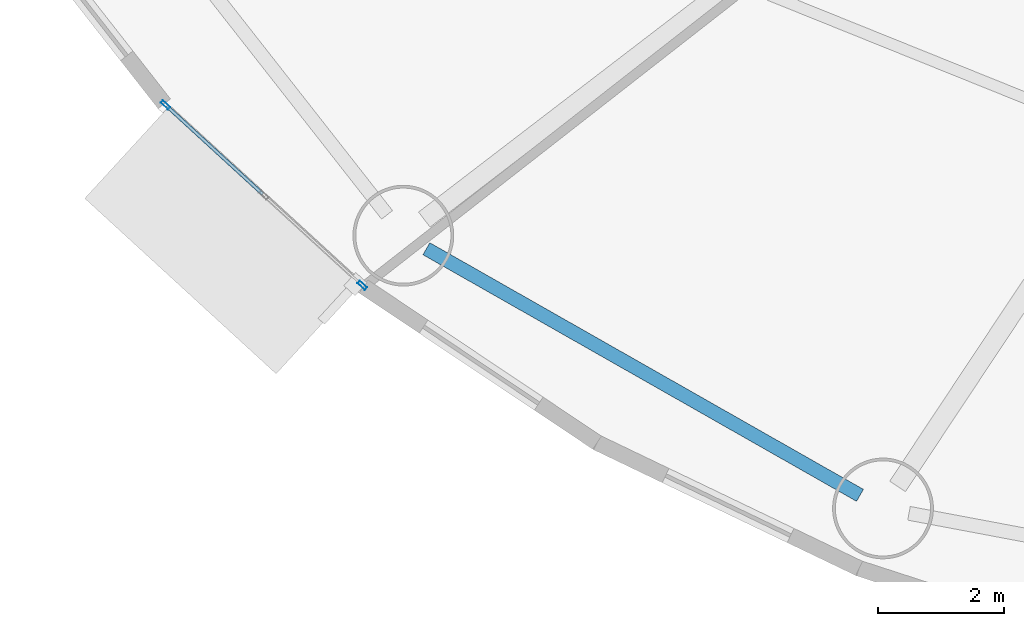
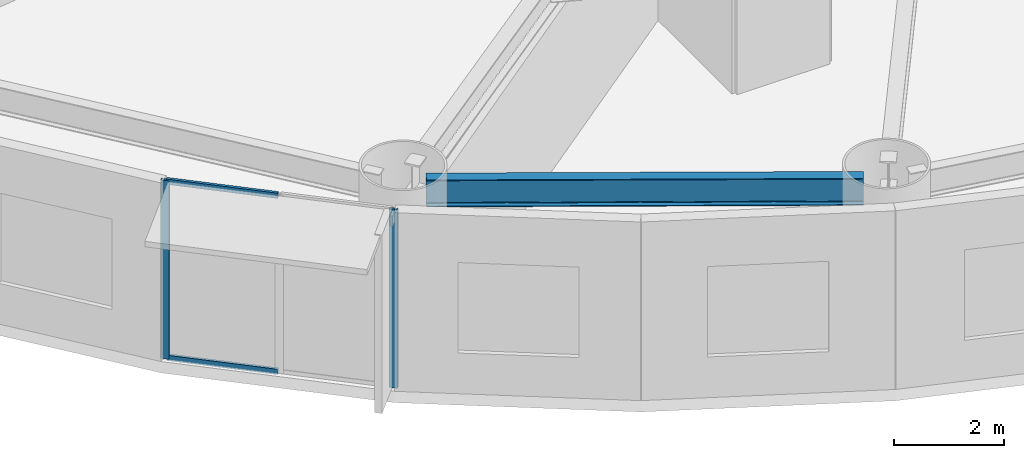
# One storey, part 4 of 32: 4 members, 1 beam, 1 element without a shape of its own.
"""IFC4 building model written with IfcOpenShell, lengths in metres."""

from ifc_helpers import new_model, si_unit, direction, frame, origin, origin_2d, place, context, subcontext, project, spatial, hollow_rectangle, i_section, extrude, source, transform, mapped, material, layer, layer_set, material_profile, profile_set, type_object, element, aggregate, save


model = new_model("IFC4")

# Units and contexts
model_context = context("Model", 3, precision=1e-05, world=origin(), true_north=direction((0.0, 1.0)))
body_context = subcontext(model_context, "Body", "Model", "MODEL_VIEW")
ifc_project = project(units=[si_unit("LENGTHUNIT", "METRE"), si_unit("AREAUNIT", "SQUARE_METRE"), si_unit("VOLUMEUNIT", "CUBIC_METRE"), si_unit("PLANEANGLEUNIT", "RADIAN"), si_unit("MASSUNIT", "GRAM", prefix="KILO")], contexts=[model_context])

# Site, building, storey
site_placement = place(None, origin())
site = spatial("IfcSite", under=ifc_project, at=site_placement, CompositionType="ELEMENT")
building_placement = place(site_placement, origin())
building = spatial("IfcBuilding", under=site, at=building_placement, Name="Linh Dai School and Residence Tower", CompositionType="ELEMENT")
storey_placement = place(building_placement, frame((0.0, 0.0, 40.800048828125)))
storey = spatial("IfcBuildingStorey", under=building, at=storey_placement, Name="L09", CompositionType="ELEMENT", Elevation=40.800048828125)

# Beam
ifc_material_1 = material(Name="Structural Steel S355JR", Category="steel")
ifc_material_profile_1 = material_profile(ifc_material_1, i_section(OverallWidth=0.219970703125, OverallDepth=0.60009765625, WebThickness=0.011962890625, FlangeThickness=0.01904296875, FilletRadius=0.02392578125, at=origin_2d()), Name="IPE 600")
ifc_profile_set_1 = profile_set([ifc_material_profile_1], Name="Structural Steel S355JR")
beam_type = type_object("IfcBeamType", Name="BM-RB60", PredefinedType="BEAM", material=ifc_profile_set_1)
beam_placement = place(storey_placement, frame((15.012451171875, 10.42333984375, 3.64990234375), z_axis=(0.869271416992, -0.494335112653, 0.0), x_axis=(0.494335112653, 0.869271416992, 0.0)))
element("IfcBeam", 1, at=beam_placement, inside=storey, type_object=beam_type, Name="L09 Perimeter Elliptical Ring Beam 11", PredefinedType="BEAM", context=body_context, shape_type="SweptSolid", body=[
    extrude(i_section(OverallWidth=0.219970703125, OverallDepth=0.60009765625, WebThickness=0.011962890625, FlangeThickness=0.01904296875, FilletRadius=0.02392578125, at=origin_2d()), origin(), (0.0, 0.0, 1.0), 7.91943359375),
])

# Curtain wall, members
ifc_material_2 = material(Name="Aluminium Anodised Curtain Wall", Category="aluminium")
ifc_layer = layer(ifc_material_2, 0.159912109375)
ifc_layer_set = layer_set([ifc_layer], Name="Aluminium Anodised Curtain Wall")
curtain_wall_type = type_object("IfcCurtainWallType", Name="CW-SYS-3", PredefinedType="USERDEFINED", material=ifc_layer_set)
curtain_wall_placement = place(storey_placement, origin())
curtain_wall = element("IfcCurtainWall", 2, at=curtain_wall_placement, inside=storey, type_object=curtain_wall_type, Name="L09 CW3 Curtain Wall 25", ObjectType="RIBBON CURTAIN WALL", PredefinedType="USERDEFINED")
ifc_material_3 = material(Name="Aluminium Alloy 6063-T6", Category="aluminium")
ifc_material_profile_2 = material_profile(ifc_material_3, hollow_rectangle(XDim=0.054931640625, YDim=0.1201171875, WallThickness=0.00390625, at=origin_2d()), Name="RHS 120x55x4")
ifc_profile_set_2 = profile_set([ifc_material_profile_2], Name="Aluminium Alloy 6063-T6")
member_type_1 = type_object("IfcMemberType", Name="CW-SYS-3-TRN", PredefinedType="USERDEFINED", material=ifc_profile_set_2)
shared_shape_1 = source(origin(), body_context, "Body", "SweptSolid", [
    extrude(hollow_rectangle(XDim=0.054931640625, YDim=0.1201171875, WallThickness=0.00390625, at=origin_2d()), origin(), (0.0, 0.0, 1.0), 2.064453125),
])
member_1_placement = place(storey_placement, frame((12.41259765625, 11.293212890625, 0.02734375), z_axis=(-0.737129594686, 0.675751404466, 0.0), x_axis=(-0.675751404466, -0.737129594686, 0.0)))
member_1 = element("IfcMember", 3, at=member_1_placement, type_object=member_type_1, Name="CW3 transom 2.1", ObjectType="TRANSOM", PredefinedType="USERDEFINED", context=body_context, shape_type="MappedRepresentation", body=[
    mapped(shared_shape_1, transform((0.0, 0.0, 0.0), x_axis=(1.0, 0.0, 0.0), y_axis=(0.0, 1.0, 0.0), z_axis=(0.0, 0.0, 1.0), scale=1.0)),
])
member_2_placement = place(storey_placement, frame((12.41259765625, 11.293212890625, 3.92236328125), z_axis=(-0.737129594686, 0.675751404466, 0.0), x_axis=(-0.675751404466, -0.737129594686, 0.0)))
member_2 = element("IfcMember", 4, at=member_2_placement, type_object=member_type_1, Name="CW3 transom 2.2", ObjectType="TRANSOM", PredefinedType="USERDEFINED", context=body_context, shape_type="MappedRepresentation", body=[
    mapped(shared_shape_1, transform((0.0, 0.0, 0.0), x_axis=(1.0, 0.0, 0.0), y_axis=(0.0, 1.0, 0.0), z_axis=(0.0, 0.0, 1.0), scale=1.0)),
])
ifc_material_profile_3 = material_profile(ifc_material_3, hollow_rectangle(XDim=0.054931640625, YDim=0.159912109375, WallThickness=0.00390625, at=origin_2d()), Name="RHS 160x55x4")
ifc_profile_set_3 = profile_set([ifc_material_profile_3], Name="Aluminium Alloy 6063-T6")
member_type_2 = type_object("IfcMemberType", Name="CW-SYS-3-MUL", PredefinedType="MULLION", material=ifc_profile_set_3)
shared_shape_2 = source(origin(), body_context, "Body", "SweptSolid", [
    extrude(hollow_rectangle(XDim=0.054931640625, YDim=0.159912109375, WallThickness=0.00390625, at=origin_2d()), origin(), (0.0, 0.0, 1.0), 3.949951171875),
])
member_3_placement = place(storey_placement, frame((13.9951171875, 9.84228515625, 0.0), z_axis=(0.0, 0.0, 1.0), x_axis=(-0.675769237268, -0.737113246362, 0.0)))
member_3 = element("IfcMember", 5, at=member_3_placement, type_object=member_type_2, Name="CW3 mullion 1", PredefinedType="MULLION", context=body_context, shape_type="MappedRepresentation", body=[
    mapped(shared_shape_2, transform((0.0, 0.0, 0.0), x_axis=(1.0, 0.0, 0.0), y_axis=(0.0, 1.0, 0.0), z_axis=(0.0, 0.0, 1.0), scale=1.0)),
])
member_4_placement = place(storey_placement, frame((10.87060546875, 12.706787109375, 0.0), z_axis=(0.0, 0.0, 1.0), x_axis=(-0.675769237268, -0.737113246362, 0.0)))
member_4 = element("IfcMember", 6, at=member_4_placement, type_object=member_type_2, Name="CW3 mullion 3", PredefinedType="MULLION", context=body_context, shape_type="MappedRepresentation", body=[
    mapped(shared_shape_2, transform((0.0, 0.0, 0.0), x_axis=(1.0, 0.0, 0.0), y_axis=(0.0, 1.0, 0.0), z_axis=(0.0, 0.0, 1.0), scale=1.0)),
])
aggregate(curtain_wall, [member_3, member_4, member_1, member_2])

save(model, "model.ifc")
